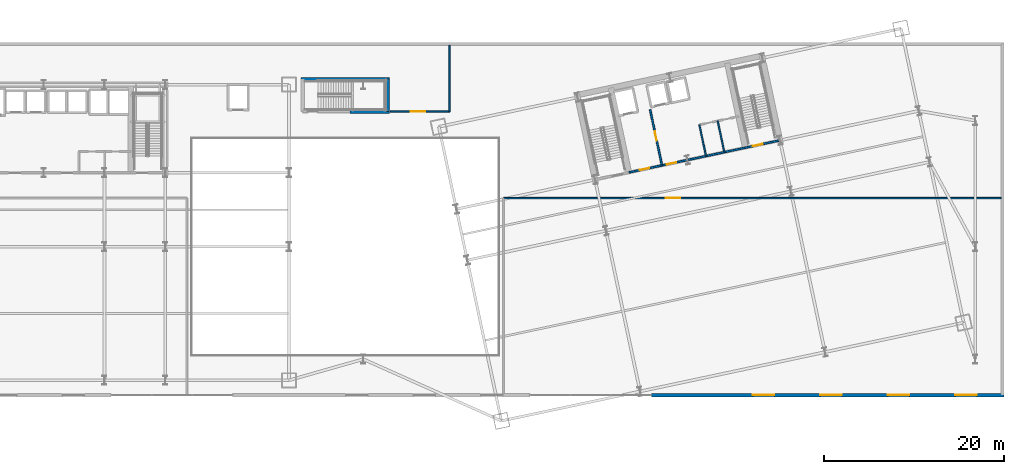
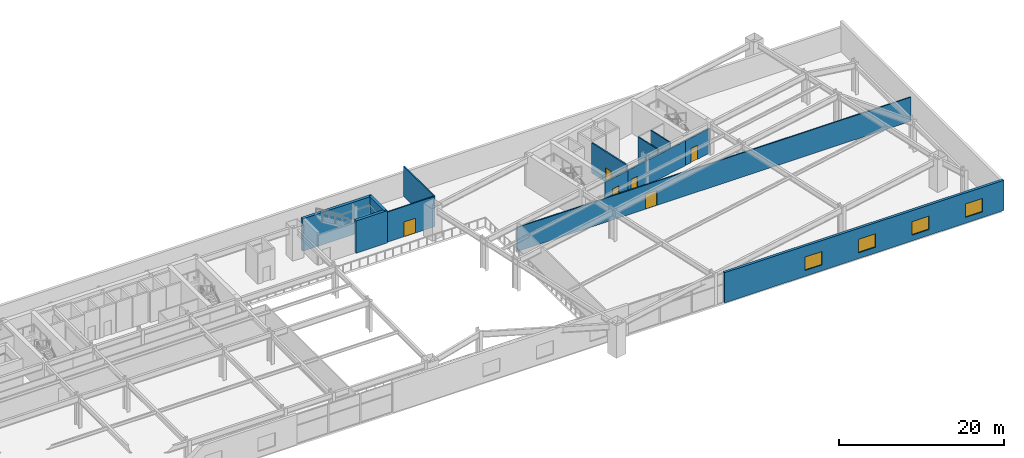
# One storey, part 14 of 25: 13 walls, 6 doors, 4 windows, 10 openings.
"""IFC4 building model written with IfcOpenShell, lengths in metres."""

from ifc_helpers import new_model, si_unit, direction, frame, frame_2d, origin, place, context, subcontext, project, spatial, rectangle, extrude, material, layer, layer_set, type_object, element, fill, save


model = new_model("IFC4")

# Units and contexts
model_context = context("Model", 3, precision=1e-05, world=origin(), true_north=direction((0.0, 1.0)))
body_context = subcontext(model_context, "Body", "Model", "MODEL_VIEW")
ifc_project = project(units=[si_unit("LENGTHUNIT", "METRE"), si_unit("AREAUNIT", "SQUARE_METRE"), si_unit("VOLUMEUNIT", "CUBIC_METRE"), si_unit("PLANEANGLEUNIT", "RADIAN"), si_unit("MASSUNIT", "GRAM", prefix="KILO")], contexts=[model_context])

# Site, building, storey
site_placement = place(None, origin())
site = spatial("IfcSite", under=ifc_project, at=site_placement, CompositionType="ELEMENT")
building_placement = place(site_placement, origin())
building = spatial("IfcBuilding", under=site, at=building_placement, Name="Haevon Station Towers", CompositionType="ELEMENT")
storey_placement = place(building_placement, frame((0.0, 0.0, 6.0)))
storey = spatial("IfcBuildingStorey", under=building, at=storey_placement, Name="L01", CompositionType="ELEMENT", Elevation=6.0)

# Wall, opening, door
ifc_material_1 = material(Name="Gypsum board on steel stud", Category="steel")
ifc_layer_1 = layer(ifc_material_1, 0.199951171875)
ifc_layer_set_1 = layer_set([ifc_layer_1], Name="Gypsum board on steel stud")
wall_type_1 = type_object("IfcWallType", Name="WL-COR200", PredefinedType="PARTITIONING", material=ifc_layer_set_1)
wall_1_placement = place(storey_placement, frame((115.4296875, 40.9873046875, 0.0), z_axis=(0.0, 0.0, 1.0), x_axis=(0.978146596989, 0.207916413008, 0.0)))
wall_1 = element("IfcWall", 1, at=wall_1_placement, inside=storey, type_object=wall_type_1, Name="WL-ST-ST4-L01", PredefinedType="PARTITIONING", context=body_context, shape_type="SweptSolid", body=[
    extrude(rectangle(XDim=3.9501953125, YDim=0.199951171875, at=frame_2d((1.97509765625, 0.0))), origin(), (0.0, 0.0, 1.0), 3.679931640625),
])
opening_1_placement = place(wall_1_placement, frame((0.85009765625, 0.0, 0.0)))
opening_1 = element("IfcOpeningElement", 2, at=opening_1_placement, cuts=wall_1, Name="Opening DR-ST-ST4-L01", PredefinedType="OPENING", context=body_context, shape_type="SweptSolid", body=[
    extrude(rectangle(XDim=1.1201171875, YDim=2.10009765625, at=frame_2d((0.56005859375, 1.050048828125))), frame((0.0, 0.10986328125, 0.0), z_axis=(0.0, -1.0, 0.0), x_axis=(1.0, 0.0, 0.0)), (0.0, 0.0, 1.0), 0.219970703125),
])
ifc_material_2 = material(Name="Engineered oak timber", Category="wood")
door_type_1 = type_object("IfcDoorType", Name="DR-ST-1120", OperationType="NOTDEFINED", PredefinedType="DOOR", material=ifc_material_2)
door_1_placement = place(opening_1_placement, origin())
door_1 = element("IfcDoor", 3, at=door_1_placement, inside=storey, type_object=door_type_1, Name="L01 Escape Stair ST4 Fire Door", OperationType="SINGLE_SWING_RIGHT", OverallHeight=2.10009765625, OverallWidth=1.1201171875, PredefinedType="DOOR", context=body_context, shape_type="SweptSolid", body=[
    extrude(rectangle(XDim=1.1201171875, YDim=2.10009765625, at=frame_2d((0.56005859375, 1.050048828125))), frame((0.0, 0.02490234375, 0.0), z_axis=(0.0, -1.0, 0.0), x_axis=(1.0, 0.0, 0.0)), (0.0, 0.0, 1.0), 0.050048828125),
])
fill(opening_1, door_1)

wall_2_placement = place(storey_placement, frame((106.186279296875, 39.0224609375, 0.0), z_axis=(0.0, 0.0, 1.0), x_axis=(-0.207916691923, 0.978146537703, 0.0)))
wall_2 = element("IfcWall", 4, at=wall_2_placement, inside=storey, type_object=wall_type_1, Name="WL-T2FFL-L01-E", PredefinedType="PARTITIONING", context=body_context, shape_type="SweptSolid", body=[
    extrude(rectangle(XDim=6.35009765625, YDim=0.199951171875, at=frame_2d((3.175048828125, 0.0))), origin(), (0.0, 0.0, 1.0), 4.47998046875),
])
opening_2_placement = place(wall_2_placement, frame((2.800048828125, 0.0, 0.0)))
opening_2 = element("IfcOpeningElement", 5, at=opening_2_placement, cuts=wall_2, Name="Opening DR-T2FFL-L01-E", PredefinedType="OPENING", context=body_context, shape_type="SweptSolid", body=[
    extrude(rectangle(XDim=1.050048828125, YDim=2.10009765625, at=frame_2d((0.52490234375, 1.050048828125))), frame((0.0, 0.10986328125, 0.0), z_axis=(0.0, -1.0, 0.0), x_axis=(1.0, 0.0, 0.0)), (0.0, 0.0, 1.0), 0.219970703125),
])
door_type_2 = type_object("IfcDoorType", Name="DR-FD60-1050", OperationType="NOTDEFINED", PredefinedType="DOOR", material=ifc_material_2)
door_2_placement = place(opening_2_placement, origin())
door_2 = element("IfcDoor", 6, at=door_2_placement, inside=storey, type_object=door_type_2, Name="L01 Tower 2 Firefighting Lift Lobby Door E", OperationType="SINGLE_SWING_LEFT", OverallHeight=2.10009765625, OverallWidth=1.050048828125, PredefinedType="DOOR", context=body_context, shape_type="SweptSolid", body=[
    extrude(rectangle(XDim=1.050048828125, YDim=2.10009765625, at=frame_2d((0.52490234375, 1.050048828125))), frame((0.0, 0.02490234375, 0.0), z_axis=(0.0, -1.0, 0.0), x_axis=(1.0, 0.0, 0.0)), (0.0, 0.0, 1.0), 0.050048828125),
])
fill(opening_2, door_2)

wall_3_placement = place(storey_placement, frame((102.518310546875, 38.242919921875, 0.0), z_axis=(0.0, 0.0, 1.0), x_axis=(0.978153555683, 0.20788367301, 0.0)))
wall_3 = element("IfcWall", 7, at=wall_3_placement, inside=storey, type_object=wall_type_1, Name="WL-T2FFL-L01-S", PredefinedType="PARTITIONING", context=body_context, shape_type="SweptSolid", body=[
    extrude(rectangle(XDim=3.75, YDim=0.199951171875, at=frame_2d((1.875, 0.0))), origin(), (0.0, 0.0, 1.0), 3.679931640625),
])
opening_3_placement = place(wall_3_placement, frame((1.25, 0.0, 0.0)))
opening_3 = element("IfcOpeningElement", 8, at=opening_3_placement, cuts=wall_3, Name="Opening DR-T2FFL-L01-S", PredefinedType="OPENING", context=body_context, shape_type="SweptSolid", body=[
    extrude(rectangle(XDim=1.050048828125, YDim=2.10009765625, at=frame_2d((0.52490234375, 1.050048828125))), frame((0.0, 0.10986328125, 0.0), z_axis=(0.0, -1.0, 0.0), x_axis=(1.0, 0.0, 0.0)), (0.0, 0.0, 1.0), 0.219970703125),
])
door_3_placement = place(opening_3_placement, origin())
door_3 = element("IfcDoor", 9, at=door_3_placement, inside=storey, type_object=door_type_2, Name="L01 Tower 2 Firefighting Lift Lobby Door S", OperationType="SINGLE_SWING_RIGHT", OverallHeight=2.10009765625, OverallWidth=1.050048828125, PredefinedType="DOOR", context=body_context, shape_type="SweptSolid", body=[
    extrude(rectangle(XDim=1.050048828125, YDim=2.10009765625, at=frame_2d((0.52490234375, 1.050048828125))), frame((0.0, 0.02490234375, 0.0), z_axis=(0.0, -1.0, 0.0), x_axis=(1.0, 0.0, 0.0)), (0.0, 0.0, 1.0), 0.050048828125),
])
fill(opening_3, door_3)

wall_4_placement = place(storey_placement, frame((106.186279296875, 39.0224609375, 0.0), z_axis=(0.0, 0.0, 1.0), x_axis=(0.978145519981, 0.20792147975, 0.0)))
wall_4 = element("IfcWall", 10, at=wall_4_placement, inside=storey, type_object=wall_type_1, Name="WL-T2CLB-L01", PredefinedType="PARTITIONING", context=body_context, shape_type="SweptSolid", body=[
    extrude(rectangle(XDim=9.449951171875, YDim=0.199951171875, at=frame_2d((4.72509765625, 0.0))), origin(), (0.0, 0.0, 1.0), 3.679931640625),
])
opening_4_placement = place(wall_4_placement, frame((0.550048828125, 0.0, 0.0)))
opening_4 = element("IfcOpeningElement", 11, at=opening_4_placement, cuts=wall_4, Name="Opening DR-T2CLB-L01-1", PredefinedType="OPENING", context=body_context, shape_type="SweptSolid", body=[
    extrude(rectangle(XDim=1.050048828125, YDim=2.10009765625, at=frame_2d((0.52490234375, 1.050048828125))), frame((0.0, 0.10986328125, 0.0), z_axis=(0.0, -1.0, 0.0), x_axis=(1.0, 0.0, 0.0)), (0.0, 0.0, 1.0), 0.219970703125),
])
door_4_placement = place(opening_4_placement, origin())
door_4 = element("IfcDoor", 12, at=door_4_placement, inside=storey, type_object=door_type_2, Name="L01 Tower 2 Core Lift Lobby Door 1", OperationType="SINGLE_SWING_LEFT", OverallHeight=2.10009765625, OverallWidth=1.050048828125, PredefinedType="DOOR", context=body_context, shape_type="SweptSolid", body=[
    extrude(rectangle(XDim=1.050048828125, YDim=2.10009765625, at=frame_2d((0.52490234375, 1.050048828125))), frame((0.0, 0.02490234375, 0.0), z_axis=(0.0, -1.0, 0.0), x_axis=(1.0, 0.0, 0.0)), (0.0, 0.0, 1.0), 0.050048828125),
])
fill(opening_4, door_4)

# Walls
ifc_material_3 = material(Name="Concrete C60/75", Category="concrete")
ifc_layer_2 = layer(ifc_material_3, 0.39990234375)
ifc_layer_set_2 = layer_set([ifc_layer_2], Name="Concrete C60/75")
wall_type_2 = type_object("IfcWallType", Name="WL-CR400", PredefinedType="SHEAR", material=ifc_layer_set_2)
wall_5_placement = place(storey_placement, frame((66.10009765625, 48.60009765625, 0.0), z_axis=(0.0, 0.0, 1.0), x_axis=(1.0, 0.0, 0.0)))
element("IfcWall", 13, at=wall_5_placement, inside=storey, type_object=wall_type_2, Name="WL-ST6CR-L01-N", PredefinedType="SHEAR", context=body_context, shape_type="SweptSolid", body=[
    extrude(rectangle(XDim=9.7998046875, YDim=0.39990234375, at=frame_2d((4.89990234375, 0.0))), origin(), (0.0, 0.0, 1.0), 4.800048828125),
])
wall_6_placement = place(storey_placement, frame((75.699951171875, 45.0, 0.0), z_axis=(0.0, 0.0, 1.0), x_axis=(0.0, 1.0, 0.0)))
element("IfcWall", 14, at=wall_6_placement, inside=storey, type_object=wall_type_2, Name="WL-ST6CR-L01-E", PredefinedType="SHEAR", context=body_context, shape_type="SweptSolid", body=[
    extrude(rectangle(XDim=3.60009765625, YDim=0.39990234375, at=frame_2d((1.800048828125, 0.0))), origin(), (0.0, 0.0, 1.0), 4.800048828125),
])
wall_7_placement = place(storey_placement, frame((71.5, 45.0, 0.0), z_axis=(0.0, 0.0, 1.0), x_axis=(1.0, 0.0, 0.0)))
element("IfcWall", 15, at=wall_7_placement, inside=storey, type_object=wall_type_2, Name="WL-ST6CR-L01-S2", PredefinedType="SHEAR", context=body_context, shape_type="SweptSolid", body=[
    extrude(rectangle(XDim=4.39990234375, YDim=0.39990234375, at=frame_2d((2.199951171875, 0.0))), origin(), (0.0, 0.0, 1.0), 4.800048828125),
])

# Wall, openings, windows
ifc_material_4 = material(Name="Precast concrete C45/55", Category="concrete")
ifc_layer_3 = layer(ifc_material_4, 0.360107421875)
ifc_layer_set_3 = layer_set([ifc_layer_3], Name="Precast concrete C45/55")
wall_type_3 = type_object("IfcWallType", Name="WL-EXT-POD360", PredefinedType="SOLIDWALL", material=ifc_layer_set_3)
wall_8_placement = place(storey_placement, frame((144.179931640625, 13.5, 0.0), z_axis=(0.0, 0.0, 1.0), x_axis=(-1.0, 0.0, 0.0)))
wall_8 = element("IfcWall", 16, at=wall_8_placement, inside=storey, type_object=wall_type_3, Name="WL-POD-L01-S1", PredefinedType="SOLIDWALL", context=body_context, shape_type="SweptSolid", body=[
    extrude(rectangle(XDim=39.179931640625, YDim=0.360107421875, at=frame_2d((19.58984375, 0.0))), origin(), (0.0, 0.0, 1.0), 4.47998046875),
])
opening_5_placement = place(wall_8_placement, frame((3.0, 0.0, 0.85009765625)))
opening_5 = element("IfcOpeningElement", 17, at=opening_5_placement, cuts=wall_8, Name="Opening WN-P240", PredefinedType="OPENING", context=body_context, shape_type="SweptSolid", body=[
    extrude(rectangle(XDim=2.39990234375, YDim=2.0, at=frame_2d((1.199951171875, 1.0))), frame((0.0, 0.18994140625, 0.0), z_axis=(0.0, -1.0, 0.0), x_axis=(1.0, 0.0, 0.0)), (0.0, 0.0, 1.0), 0.380126953125),
])
opening_6_placement = place(wall_8_placement, frame((10.5, 0.0, 0.85009765625)))
opening_6 = element("IfcOpeningElement", 18, at=opening_6_placement, cuts=wall_8, Name="Opening WN-P240", PredefinedType="OPENING", context=body_context, shape_type="SweptSolid", body=[
    extrude(rectangle(XDim=2.39990234375, YDim=2.0, at=frame_2d((1.199951171875, 1.0))), frame((0.0, 0.18994140625, 0.0), z_axis=(0.0, -1.0, 0.0), x_axis=(1.0, 0.0, 0.0)), (0.0, 0.0, 1.0), 0.380126953125),
])
opening_7_placement = place(wall_8_placement, frame((18.0, 0.0, 0.85009765625)))
opening_7 = element("IfcOpeningElement", 19, at=opening_7_placement, cuts=wall_8, Name="Opening WN-P240", PredefinedType="OPENING", context=body_context, shape_type="SweptSolid", body=[
    extrude(rectangle(XDim=2.39990234375, YDim=2.0, at=frame_2d((1.199951171875, 1.0))), frame((0.0, 0.18994140625, 0.0), z_axis=(0.0, -1.0, 0.0), x_axis=(1.0, 0.0, 0.0)), (0.0, 0.0, 1.0), 0.380126953125),
])
opening_8_placement = place(wall_8_placement, frame((25.5, 0.0, 0.85009765625)))
opening_8 = element("IfcOpeningElement", 20, at=opening_8_placement, cuts=wall_8, Name="Opening WN-P240", PredefinedType="OPENING", context=body_context, shape_type="SweptSolid", body=[
    extrude(rectangle(XDim=2.39990234375, YDim=2.0, at=frame_2d((1.199951171875, 1.0))), frame((0.0, 0.18994140625, 0.0), z_axis=(0.0, -1.0, 0.0), x_axis=(1.0, 0.0, 0.0)), (0.0, 0.0, 1.0), 0.380126953125),
])
ifc_material_5 = material(Name="Low-E triple glazing in thermally broken aluminium", Category="aluminium")
window_type = type_object("IfcWindowType", Name="WN-P240", PartitioningType="SINGLE_PANEL", PredefinedType="WINDOW", material=ifc_material_5)
window_1_placement = place(opening_5_placement, origin())
window_1 = element("IfcWindow", 21, at=window_1_placement, inside=storey, type_object=window_type, Name="WN-POD-L01-S1-01", OverallHeight=2.0, OverallWidth=2.39990234375, PartitioningType="SINGLE_PANEL", PredefinedType="WINDOW", context=body_context, shape_type="SweptSolid", body=[
    extrude(rectangle(XDim=2.39990234375, YDim=2.0, at=frame_2d((1.199951171875, 1.0))), frame((0.0, 0.030029296875, 0.0), z_axis=(0.0, -1.0, 0.0), x_axis=(1.0, 0.0, 0.0)), (0.0, 0.0, 1.0), 0.06005859375),
])
fill(opening_5, window_1)
window_2_placement = place(opening_6_placement, origin())
window_2 = element("IfcWindow", 22, at=window_2_placement, inside=storey, type_object=window_type, Name="WN-POD-L01-S1-02", OverallHeight=2.0, OverallWidth=2.39990234375, PartitioningType="SINGLE_PANEL", PredefinedType="WINDOW", context=body_context, shape_type="SweptSolid", body=[
    extrude(rectangle(XDim=2.39990234375, YDim=2.0, at=frame_2d((1.199951171875, 1.0))), frame((0.0, 0.030029296875, 0.0), z_axis=(0.0, -1.0, 0.0), x_axis=(1.0, 0.0, 0.0)), (0.0, 0.0, 1.0), 0.06005859375),
])
fill(opening_6, window_2)
window_3_placement = place(opening_7_placement, origin())
window_3 = element("IfcWindow", 23, at=window_3_placement, inside=storey, type_object=window_type, Name="WN-POD-L01-S1-03", OverallHeight=2.0, OverallWidth=2.39990234375, PartitioningType="SINGLE_PANEL", PredefinedType="WINDOW", context=body_context, shape_type="SweptSolid", body=[
    extrude(rectangle(XDim=2.39990234375, YDim=2.0, at=frame_2d((1.199951171875, 1.0))), frame((0.0, 0.030029296875, 0.0), z_axis=(0.0, -1.0, 0.0), x_axis=(1.0, 0.0, 0.0)), (0.0, 0.0, 1.0), 0.06005859375),
])
fill(opening_7, window_3)
window_4_placement = place(opening_8_placement, origin())
window_4 = element("IfcWindow", 24, at=window_4_placement, inside=storey, type_object=window_type, Name="WN-POD-L01-S1-04", OverallHeight=2.0, OverallWidth=2.39990234375, PartitioningType="SINGLE_PANEL", PredefinedType="WINDOW", context=body_context, shape_type="SweptSolid", body=[
    extrude(rectangle(XDim=2.39990234375, YDim=2.0, at=frame_2d((1.199951171875, 1.0))), frame((0.0, 0.030029296875, 0.0), z_axis=(0.0, -1.0, 0.0), x_axis=(1.0, 0.0, 0.0)), (0.0, 0.0, 1.0), 0.06005859375),
])
fill(opening_8, window_4)

# Wall, opening, door
ifc_layer_4 = layer(ifc_material_1, 0.159912109375)
ifc_layer_set_4 = layer_set([ifc_layer_4], Name="Gypsum board on steel stud")
wall_type_4 = type_object("IfcWallType", Name="WL-PRT160", PredefinedType="PARTITIONING", material=ifc_layer_set_4)
wall_9_placement = place(storey_placement, frame((88.60009765625, 35.39990234375, 0.0), z_axis=(0.0, 0.0, 1.0), x_axis=(1.0, 0.0, 0.0)))
wall_9 = element("IfcWall", 25, at=wall_9_placement, inside=storey, type_object=wall_type_4, Name="WL-L01-EASTN", PredefinedType="PARTITIONING", context=body_context, shape_type="SweptSolid", body=[
    extrude(rectangle(XDim=55.25, YDim=0.159912109375, at=frame_2d((27.625, 0.0))), origin(), (0.0, 0.0, 1.0), 3.580078125),
])
opening_9_placement = place(wall_9_placement, frame((18.0, 0.0, 0.0)))
opening_9 = element("IfcOpeningElement", 26, at=opening_9_placement, cuts=wall_9, Name="Opening DR-WL-L01-EASTN-1", PredefinedType="OPENING", context=body_context, shape_type="SweptSolid", body=[
    extrude(rectangle(XDim=1.60009765625, YDim=2.199951171875, at=frame_2d((0.800048828125, 1.10009765625))), frame((0.0, 0.08984375, 0.0), z_axis=(0.0, -1.0, 0.0), x_axis=(1.0, 0.0, 0.0)), (0.0, 0.0, 1.0), 0.179931640625),
])
door_type_3 = type_object("IfcDoorType", Name="DR-POD-1600", OperationType="NOTDEFINED", PredefinedType="DOOR", material=ifc_material_2)
door_5_placement = place(opening_9_placement, origin())
door_5 = element("IfcDoor", 27, at=door_5_placement, inside=storey, type_object=door_type_3, Name="L01 Interior Door WL-L01-EASTN-1", OperationType="DOUBLE_DOOR_SINGLE_SWING", OverallHeight=2.199951171875, OverallWidth=1.60009765625, PredefinedType="DOOR", context=body_context, shape_type="SweptSolid", body=[
    extrude(rectangle(XDim=1.60009765625, YDim=2.199951171875, at=frame_2d((0.800048828125, 1.10009765625))), frame((0.0, 0.02490234375, 0.0), z_axis=(0.0, -1.0, 0.0), x_axis=(1.0, 0.0, 0.0)), (0.0, 0.0, 1.0), 0.050048828125),
])
fill(opening_9, door_5)

wall_10_placement = place(storey_placement, frame((76.0, 45.0, 0.0), z_axis=(0.0, 0.0, 1.0), x_axis=(1.0, 0.0, 0.0)))
wall_10 = element("IfcWall", 28, at=wall_10_placement, inside=storey, type_object=wall_type_4, Name="WL-L01-NORTH", PredefinedType="PARTITIONING", context=body_context, shape_type="SweptSolid", body=[
    extrude(rectangle(XDim=6.60009765625, YDim=0.159912109375, at=frame_2d((3.300048828125, 0.0))), origin(), (0.0, 0.0, 1.0), 4.47998046875),
])
opening_10_placement = place(wall_10_placement, frame((2.300048828125, 0.0, 0.0)))
opening_10 = element("IfcOpeningElement", 29, at=opening_10_placement, cuts=wall_10, Name="Opening DR-WL-L01-NORTH-1", PredefinedType="OPENING", context=body_context, shape_type="SweptSolid", body=[
    extrude(rectangle(XDim=1.60009765625, YDim=2.199951171875, at=frame_2d((0.800048828125, 1.10009765625))), frame((0.0, 0.08984375, 0.0), z_axis=(0.0, -1.0, 0.0), x_axis=(1.0, 0.0, 0.0)), (0.0, 0.0, 1.0), 0.179931640625),
])
door_6_placement = place(opening_10_placement, origin())
door_6 = element("IfcDoor", 30, at=door_6_placement, inside=storey, type_object=door_type_3, Name="L01 Interior Door WL-L01-NORTH-1", OperationType="DOUBLE_DOOR_SINGLE_SWING", OverallHeight=2.199951171875, OverallWidth=1.60009765625, PredefinedType="DOOR", context=body_context, shape_type="SweptSolid", body=[
    extrude(rectangle(XDim=1.60009765625, YDim=2.199951171875, at=frame_2d((0.800048828125, 1.10009765625))), frame((0.0, 0.02490234375, 0.0), z_axis=(0.0, -1.0, 0.0), x_axis=(1.0, 0.0, 0.0)), (0.0, 0.0, 1.0), 0.050048828125),
])
fill(opening_10, door_6)

# Walls
wall_11_placement = place(storey_placement, frame((82.60009765625, 45.0, 0.0), z_axis=(0.0, 0.0, 1.0), x_axis=(0.0, 1.0, 0.0)))
element("IfcWall", 31, at=wall_11_placement, inside=storey, type_object=wall_type_4, Name="WL-L01-NORTHE", PredefinedType="PARTITIONING", context=body_context, shape_type="SweptSolid", body=[
    extrude(rectangle(XDim=7.35009765625, YDim=0.159912109375, at=frame_2d((3.675048828125, 0.0))), origin(), (0.0, 0.0, 1.0), 4.47998046875),
])
for number, where, z_axis, x_axis, name in (
    (32, (111.076904296875, 40.06201171875, 0.0), (0.0, 0.0, 1.0), (-0.207899058817, 0.978150285663, 0.0), "WL-T2CW-L01-01"),
    (33, (113.111572265625, 40.49462890625, 0.0), (0.0, 0.0, 1.0), (-0.207899058817, 0.978150285663, 0.0), "WL-T2CW-L01-02"),
):
    element("IfcWall", number, at=place(storey_placement, frame(where, z_axis=z_axis, x_axis=x_axis)), inside=storey, type_object=wall_type_4, Name=name, PredefinedType="PARTITIONING", context=body_context, shape_type="SweptSolid", body=[
        extrude(rectangle(XDim=3.550048828125, YDim=0.159912109375, at=frame_2d((1.77490234375, 0.0))), origin(), (0.0, 0.0, 1.0), 4.47998046875),
    ])

save(model, "model.ifc")
